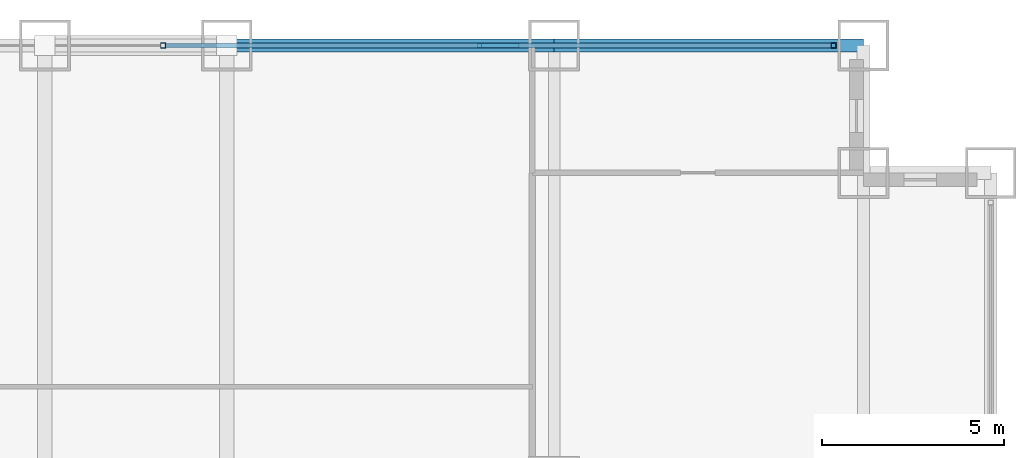
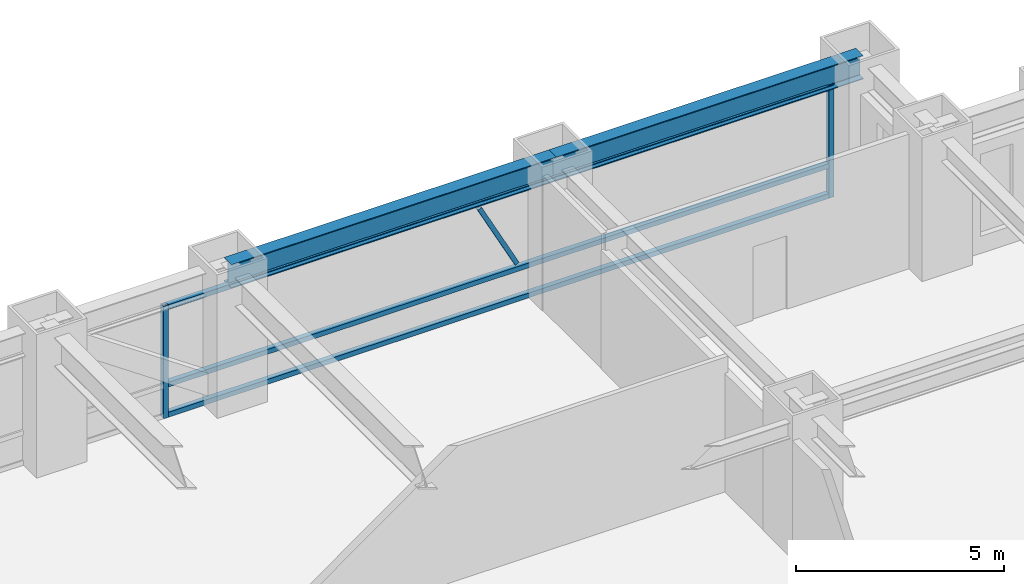
# One storey, part 21 of 27: 6 members, 2 beams, 1 element without a shape of its own.
"""IFC4 building model written with IfcOpenShell, lengths in metres."""

from ifc_helpers import new_model, si_unit, direction, frame, origin, origin_2d, place, context, subcontext, project, spatial, hollow_rectangle, i_section, extrude, source, transform, mapped, material, material_profile, profile_set, type_object, element, aggregate, save


model = new_model("IFC4")

# Units and contexts
model_context = context("Model", 3, precision=1e-05, world=origin(), true_north=direction((0.0, 1.0)))
body_context = subcontext(model_context, "Body", "Model", "MODEL_VIEW")
ifc_project = project(units=[si_unit("LENGTHUNIT", "METRE"), si_unit("AREAUNIT", "SQUARE_METRE"), si_unit("VOLUMEUNIT", "CUBIC_METRE"), si_unit("PLANEANGLEUNIT", "RADIAN"), si_unit("MASSUNIT", "GRAM", prefix="KILO")], contexts=[model_context])

# Site, building, storey
site_placement = place(None, origin())
site = spatial("IfcSite", under=ifc_project, at=site_placement, CompositionType="ELEMENT")
building_placement = place(site_placement, origin())
building = spatial("IfcBuilding", under=site, at=building_placement, Name="Khorayat Bourse Tower", CompositionType="ELEMENT")
storey_placement = place(building_placement, frame((0.0, 0.0, 49.39990234375)))
storey = spatial("IfcBuildingStorey", under=building, at=storey_placement, Name="L10", CompositionType="ELEMENT", Elevation=49.39990234375)

# Beams
ifc_material_1 = material(Name="Steel ASTM A992 Grade 50", Category="steel")
ifc_material_profile_1 = material_profile(ifc_material_1, i_section(OverallWidth=0.35498046875, OverallDepth=0.695068359375, WebThickness=0.015380859375, FlangeThickness=0.02490234375, FilletRadius=0.01806640625, at=origin_2d()), Name="W690X217")
ifc_profile_set_1 = profile_set([ifc_material_profile_1], Name="Steel ASTM A992 Grade 50")
beam_type = type_object("IfcBeamType", Name="BM-SPAN-690", PredefinedType="SPANDREL", material=ifc_profile_set_1)
shared_shape_1 = source(origin(), body_context, "Body", "SweptSolid", [
    extrude(i_section(OverallWidth=0.35498046875, OverallDepth=0.695068359375, WebThickness=0.015380859375, FlangeThickness=0.02490234375, FilletRadius=0.01806640625, at=origin_2d()), origin(), (0.0, 0.0, 1.0), 8.5),
])
beam_1_placement = place(storey_placement, frame((20.0, 32.0, 3.592529296875), z_axis=(1.0, 0.0, 0.0), x_axis=(0.0, 1.0, 0.0)))
element("IfcBeam", 1, at=beam_1_placement, inside=storey, type_object=beam_type, Name="L10 BM-SPAN-690 BM-L10-SPN-044", PredefinedType="SPANDREL", context=body_context, shape_type="MappedRepresentation", body=[
    mapped(shared_shape_1, transform((0.0, 0.0, 0.0), scale=1.0)),
])
shared_shape_2 = source(origin(), body_context, "Body", "SweptSolid", [
    extrude(i_section(OverallWidth=0.35498046875, OverallDepth=0.695068359375, WebThickness=0.015380859375, FlangeThickness=0.02490234375, FilletRadius=0.01806640625, at=origin_2d()), origin(), (0.0, 0.0, 1.0), 9.0),
])
beam_2_placement = place(storey_placement, frame((11.0, 32.0, 3.592529296875), z_axis=(1.0, 0.0, 0.0), x_axis=(0.0, 1.0, 0.0)))
element("IfcBeam", 2, at=beam_2_placement, inside=storey, type_object=beam_type, Name="L10 BM-SPAN-690 BM-L10-SPN-045", PredefinedType="SPANDREL", context=body_context, shape_type="MappedRepresentation", body=[
    mapped(shared_shape_2, transform((0.0, 0.0, 0.0), scale=1.0)),
])

# Curtain wall, members
ifc_material_2 = material(Name="Aluminium EN AW-6063 T6", Category="aluminium")
curtain_wall_type = type_object("IfcCurtainWallType", Name="CW-SYS-02", PredefinedType="NOTDEFINED", material=ifc_material_2)
curtain_wall_placement = place(storey_placement, origin())
curtain_wall = element("IfcCurtainWall", 3, at=curtain_wall_placement, inside=storey, type_object=curtain_wall_type, Name="L10 Curtain Wall CW-L10-N1", PredefinedType="NOTDEFINED")
ifc_material_profile_2 = material_profile(ifc_material_2, hollow_rectangle(XDim=0.139892578125, YDim=0.139892578125, WallThickness=0.006103515625, at=origin_2d()), Name="ALU 140x140x6")
ifc_profile_set_2 = profile_set([ifc_material_profile_2], Name="Aluminium EN AW-6063 T6")
member_type_1 = type_object("IfcMemberType", Name="CWT-HORZ-140", PredefinedType="USERDEFINED", material=ifc_profile_set_2)
shared_shape_3 = source(origin(), body_context, "Body", "SweptSolid", [
    extrude(hollow_rectangle(XDim=0.139892578125, YDim=0.139892578125, WallThickness=0.006103515625, at=origin_2d()), origin(), (0.0, 0.0, 1.0), 18.2900390625),
])
member_1_placement = place(storey_placement, frame((9.320068359375, 32.0, 0.070068359375), z_axis=(1.0, 0.0, 0.0), x_axis=(0.0, 1.0, 0.0)))
member_1 = element("IfcMember", 4, at=member_1_placement, type_object=member_type_1, Name="CW-L10-N1 Horizontal Transom 3-1", ObjectType="TRANSOM", PredefinedType="USERDEFINED", context=body_context, shape_type="MappedRepresentation", body=[
    mapped(shared_shape_3, transform((0.0, 0.0, 0.0), scale=1.0)),
])
member_2_placement = place(storey_placement, frame((9.320068359375, 32.0, 0.9501953125), z_axis=(1.0, 0.0, 0.0), x_axis=(0.0, 1.0, 0.0)))
member_2 = element("IfcMember", 5, at=member_2_placement, type_object=member_type_1, Name="CW-L10-N1 Horizontal Transom 3-2", ObjectType="TRANSOM", PredefinedType="USERDEFINED", context=body_context, shape_type="MappedRepresentation", body=[
    mapped(shared_shape_3, transform((0.0, 0.0, 0.0), scale=1.0)),
])
member_3_placement = place(storey_placement, frame((9.320068359375, 32.0, 3.22021484375), z_axis=(1.0, 0.0, 0.0), x_axis=(0.0, 1.0, 0.0)))
member_3 = element("IfcMember", 6, at=member_3_placement, type_object=member_type_1, Name="CW-L10-N1 Horizontal Transom 3-3", ObjectType="TRANSOM", PredefinedType="USERDEFINED", context=body_context, shape_type="MappedRepresentation", body=[
    mapped(shared_shape_3, transform((0.0, 0.0, 0.0), scale=1.0)),
])
ifc_material_profile_3 = material_profile(ifc_material_2, hollow_rectangle(XDim=0.1201171875, YDim=0.1201171875, WallThickness=0.0048828125, at=origin_2d()), Name="ALU 120x120x5")
ifc_profile_set_3 = profile_set([ifc_material_profile_3], Name="Aluminium EN AW-6063 T6")
member_type_2 = type_object("IfcMemberType", Name="CWM-DIAG-120", PredefinedType="MULLION", material=ifc_profile_set_3)
shared_shape_4 = source(origin(), body_context, "Body", "SweptSolid", [
    extrude(hollow_rectangle(XDim=0.1201171875, YDim=0.1201171875, WallThickness=0.0048828125, at=origin_2d()), origin(), (0.0, 0.0, 1.0), 2.22607421875),
])
member_4_placement = place(storey_placement, frame((18.9833984375, 32.0, 1.10009765625), z_axis=(-0.465759992596, 0.0, 0.884911085532), x_axis=(0.0, -1.0, 0.0)))
member_4 = element("IfcMember", 7, at=member_4_placement, type_object=member_type_2, Name="CW-L10-N1 Faceted Diagonal Mullion 3", PredefinedType="MULLION", context=body_context, shape_type="MappedRepresentation", body=[
    mapped(shared_shape_4, transform((0.0, 0.0, 0.0), scale=1.0)),
])
ifc_material_profile_4 = material_profile(ifc_material_2, hollow_rectangle(XDim=0.139892578125, YDim=0.139892578125, WallThickness=0.006103515625, at=origin_2d()), Name="ALU 140x140x6")
ifc_profile_set_4 = profile_set([ifc_material_profile_4], Name="Aluminium EN AW-6063 T6")
member_type_3 = type_object("IfcMemberType", Name="CWM-VERT-140", PredefinedType="MULLION", material=ifc_profile_set_4)
shared_shape_5 = source(origin(), body_context, "Body", "SweptSolid", [
    extrude(hollow_rectangle(XDim=0.139892578125, YDim=0.139892578125, WallThickness=0.006103515625, at=origin_2d()), origin(), (0.0, 0.0, 1.0), 3.2900390625),
])
member_5_placement = place(storey_placement, frame((9.25, 32.0, 0.0), z_axis=(0.0, 0.0, 1.0), x_axis=(0.0, 1.0, 0.0)))
member_5 = element("IfcMember", 8, at=member_5_placement, type_object=member_type_3, Name="CW-L10-N1 Vertical Mullion 3", PredefinedType="MULLION", context=body_context, shape_type="MappedRepresentation", body=[
    mapped(shared_shape_5, transform((0.0, 0.0, 0.0), scale=1.0)),
])
member_6_placement = place(storey_placement, frame((27.679931640625, 32.0, 0.0), z_axis=(0.0, 0.0, 1.0), x_axis=(0.0, 1.0, 0.0)))
member_6 = element("IfcMember", 9, at=member_6_placement, type_object=member_type_3, Name="CW-L10-N1 Vertical Mullion 4", PredefinedType="MULLION", context=body_context, shape_type="MappedRepresentation", body=[
    mapped(shared_shape_5, transform((0.0, 0.0, 0.0), scale=1.0)),
])
aggregate(curtain_wall, [member_5, member_6, member_1, member_2, member_3, member_4])

save(model, "model.ifc")
